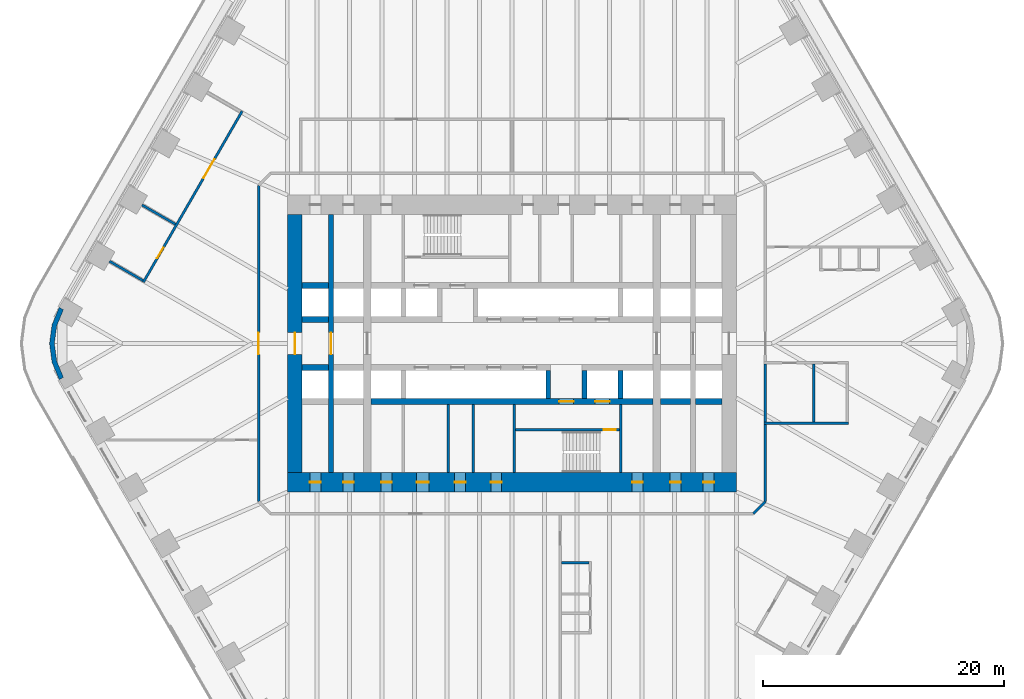
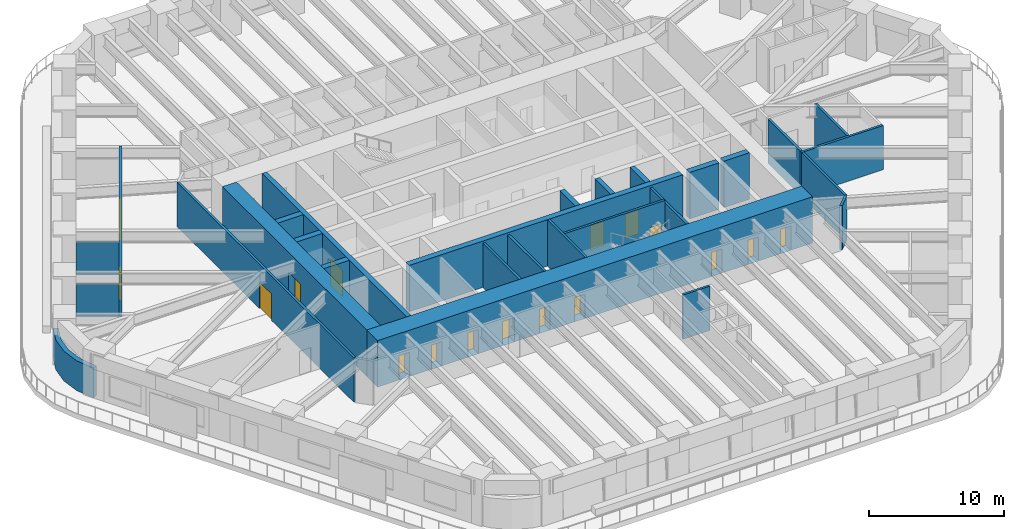
# One storey, part 17 of 24: 28 walls, 17 doors, 17 openings.
"""IFC4 building model written with IfcOpenShell, lengths in metres."""

from ifc_helpers import new_model, si_unit, direction, frame, frame_2d, origin, place, context, subcontext, project, spatial, polyline, rectangle, outline, extrude, material, layer, layer_set, type_object, element, fill, save


model = new_model("IFC4")

# Units and contexts
model_context = context("Model", 3, precision=1e-05, world=origin(), true_north=direction((0.0, 1.0)))
body_context = subcontext(model_context, "Body", "Model", "MODEL_VIEW")
ifc_project = project(units=[si_unit("LENGTHUNIT", "METRE"), si_unit("AREAUNIT", "SQUARE_METRE"), si_unit("VOLUMEUNIT", "CUBIC_METRE"), si_unit("PLANEANGLEUNIT", "RADIAN"), si_unit("MASSUNIT", "GRAM", prefix="KILO")], contexts=[model_context])

# Site, building, storey
site_placement = place(None, origin())
site = spatial("IfcSite", under=ifc_project, at=site_placement, CompositionType="ELEMENT")
building_placement = place(site_placement, origin())
building = spatial("IfcBuilding", under=site, at=building_placement, Name="Tarfa Lantern Tower", CompositionType="ELEMENT")
storey_placement = place(building_placement, frame((0.0, 0.0, 94.89990234375)))
storey = spatial("IfcBuildingStorey", under=building, at=storey_placement, Name="L21", CompositionType="ELEMENT", Elevation=94.89990234375)

# Walls
ifc_material_1 = material(Name="Limestone cladding on blockwork", Category="masonry")
ifc_layer_1 = layer(ifc_material_1, 0.39990234375)
ifc_layer_set_1 = layer_set([ifc_layer_1], Name="EW2 CURVED STONE CORNER 400")
wall_type_1 = type_object("IfcWallType", Name="EW2 CURVED STONE CORNER 400", PredefinedType="SOLIDWALL", material=ifc_layer_set_1)
wall_1_placement = place(storey_placement, origin())
element("IfcWall", 1, at=wall_1_placement, inside=storey, type_object=wall_type_1, Name="Stone corner NW-SW", PredefinedType="SOLIDWALL", context=body_context, shape_type="SweptSolid", body=[
    extrude(outline(polyline([(-37.52783203125, 3.0), (-38.127197265625, 1.552978515625), (-38.33154296875, 0.0), (-38.127197265625, -1.552978515625), (-37.52783203125, -3.0), (-37.181396484375, -2.800048828125), (-37.74072265625, -1.449462890625), (-37.931640625, 0.0), (-37.74072265625, 1.449462890625), (-37.181396484375, 2.800048828125), (-37.52783203125, 3.0)])), origin(), (0.0, 0.0, 1.0), 2.7001953125),
])
ifc_material_2 = material(Name="Concrete blockwork", Category="masonry")
ifc_layer_2 = layer(ifc_material_2, 0.199951171875)
ifc_layer_set_2 = layer_set([ifc_layer_2], Name="IW1 BLOCKWORK PARTITION 200 EI 120")
wall_type_2 = type_object("IfcWallType", Name="IW1 BLOCKWORK PARTITION 200 EI 120", PredefinedType="PARTITIONING", material=ifc_layer_set_2)
for number, where, z_axis, x_axis, name in (
    (2, (9.0, -5.050048828125, 0.0), (0.0, 0.0, 1.0), (0.0, -1.0, 0.0), "Core partition"),
    (3, (-3.199951171875, -5.050048828125, 0.0), (0.0, 0.0, 1.0), (0.0, -1.0, 0.0), "Core partition"),
    (4, (-5.300048828125, -5.050048828125, 0.0), (0.0, 0.0, 1.0), (0.0, -1.0, 0.0), "Core partition"),
):
    element("IfcWall", number, at=place(storey_placement, frame(where, z_axis=z_axis, x_axis=x_axis)), inside=storey, type_object=wall_type_2, Name=name, PredefinedType="PARTITIONING", context=body_context, shape_type="SweptSolid", body=[
        extrude(rectangle(XDim=5.64990234375, YDim=0.199951171875, at=frame_2d((2.824951171875, 0.0))), origin(), (0.0, 0.0, 1.0), 4.0),
    ])

# Wall, openings, doors
ifc_material_3 = material(Name="Gypsum board on steel studs", Category="steel")
ifc_layer_3 = layer(ifc_material_3, 0.2099609375)
ifc_layer_set_3 = layer_set([ifc_layer_3], Name="IW2 ACOUSTIC PARTITION 200")
wall_type_3 = type_object("IfcWallType", Name="IW2 ACOUSTIC PARTITION 200", PredefinedType="PARTITIONING", material=ifc_layer_set_3)
wall_2_placement = place(storey_placement, frame((-22.370361328125, 19.253173828125, 0.0), z_axis=(0.0, 0.0, 1.0), x_axis=(-0.500000949028, -0.866024855862, 0.0)))
wall_2 = element("IfcWall", 5, at=wall_2_placement, inside=storey, type_object=wall_type_3, Name="Partition", PredefinedType="PARTITIONING", context=body_context, shape_type="SweptSolid", body=[
    extrude(rectangle(XDim=16.36572265625, YDim=0.199951171875, at=frame_2d((8.182861328125, 0.0))), origin(), (0.0, 0.0, 1.0), 4.0),
])
opening_1_placement = place(wall_2_placement, frame((4.588623046875, 0.0, 0.0)))
opening_1 = element("IfcOpeningElement", 6, at=opening_1_placement, cuts=wall_2, Name="Opening D31", PredefinedType="OPENING", context=body_context, shape_type="SweptSolid", body=[
    extrude(rectangle(XDim=1.800048828125, YDim=2.39990234375, at=frame_2d((0.89990234375, 1.199951171875))), frame((0.0, 0.10986328125, 0.0), z_axis=(0.0, -1.0, 0.0), x_axis=(1.0, 0.0, 0.0)), (0.0, 0.0, 1.0), 0.219970703125),
])
opening_2_placement = place(wall_2_placement, frame((13.071533203125, 0.0, 0.0)))
opening_2 = element("IfcOpeningElement", 7, at=opening_2_placement, cuts=wall_2, Name="Opening D32", PredefinedType="OPENING", context=body_context, shape_type="SweptSolid", body=[
    extrude(rectangle(XDim=1.0, YDim=2.199951171875, at=frame_2d((0.5, 1.10009765625))), frame((0.0, 0.10986328125, 0.0), z_axis=(0.0, -1.0, 0.0), x_axis=(1.0, 0.0, 0.0)), (0.0, 0.0, 1.0), 0.219970703125),
])
ifc_material_4 = material(Name="Timber door", Category="wood")
door_type_1 = type_object("IfcDoorType", Name="DR1 ROOM DOOR 1000x2200", OperationType="SINGLE_SWING_LEFT", PredefinedType="DOOR", material=ifc_material_4)
door_1_placement = place(opening_2_placement, frame((1.0, 0.0, 0.0), z_axis=(0.0, 0.0, 1.0), x_axis=(-1.0, 0.0, 0.0)))
door_1 = element("IfcDoor", 8, at=door_1_placement, inside=storey, type_object=door_type_1, Name="Store door", OperationType="SINGLE_SWING_RIGHT", OverallHeight=2.199951171875, OverallWidth=1.0, PredefinedType="DOOR", context=body_context, shape_type="SweptSolid", body=[
    extrude(rectangle(XDim=1.0, YDim=2.199951171875, at=frame_2d((0.5, 1.10009765625))), frame((0.0, 0.02490234375, 0.0), z_axis=(0.0, -1.0, 0.0), x_axis=(1.0, 0.0, 0.0)), (0.0, 0.0, 1.0), 0.050048828125),
])
fill(opening_2, door_1)
door_type_2 = type_object("IfcDoorType", Name="DR2 ROOM DOOR 1800x2400", OperationType="DOUBLE_DOOR_SINGLE_SWING", PredefinedType="DOOR", material=ifc_material_4)
door_2_placement = place(opening_1_placement, frame((1.800048828125, 0.0, 0.0), z_axis=(0.0, 0.0, 1.0), x_axis=(-1.0, 0.0, 0.0)))
door_2 = element("IfcDoor", 9, at=door_2_placement, inside=storey, type_object=door_type_2, Name="Plan chest room door", OperationType="DOUBLE_DOOR_SINGLE_SWING", OverallHeight=2.39990234375, OverallWidth=1.800048828125, PredefinedType="DOOR", context=body_context, shape_type="SweptSolid", body=[
    extrude(rectangle(XDim=1.800048828125, YDim=2.39990234375, at=frame_2d((0.89990234375, 1.199951171875))), frame((0.0, 0.02490234375, 0.0), z_axis=(0.0, -1.0, 0.0), x_axis=(1.0, 0.0, 0.0)), (0.0, 0.0, 1.0), 0.050048828125),
])
fill(opening_1, door_2)

# Walls
wall_3_placement = place(storey_placement, frame((-27.895751953125, 9.88330078125, 0.0), z_axis=(0.0, 0.0, 1.0), x_axis=(-0.866008981251, 0.500028443584, 0.0)))
element("IfcWall", 10, at=wall_3_placement, inside=storey, type_object=wall_type_3, Name="Partition", PredefinedType="PARTITIONING", context=body_context, shape_type="SweptSolid", body=[
    extrude(rectangle(XDim=3.199951171875, YDim=0.199951171875, at=frame_2d((1.60009765625, 0.0))), origin(), (0.0, 0.0, 1.0), 2.944091796875),
])
wall_4_placement = place(storey_placement, frame((-30.58984375, 5.216552734375, 0.0), z_axis=(0.0, 0.0, 1.0), x_axis=(-0.866028054938, 0.499995408039, 0.0)))
element("IfcWall", 11, at=wall_4_placement, inside=storey, type_object=wall_type_3, Name="Partition", PredefinedType="PARTITIONING", context=body_context, shape_type="SweptSolid", body=[
    extrude(rectangle(XDim=3.2001953125, YDim=0.199951171875, at=frame_2d((1.60009765625, 0.0))), origin(), (0.0, 0.0, 1.0), 2.944091796875),
])
wall_5_placement = place(storey_placement, frame((20.89990234375, -6.60009765625, 0.0), z_axis=(0.0, 0.0, 1.0), x_axis=(1.0, 0.0, 0.0)))
element("IfcWall", 12, at=wall_5_placement, inside=storey, type_object=wall_type_3, Name="Partition", PredefinedType="PARTITIONING", context=body_context, shape_type="SweptSolid", body=[
    extrude(rectangle(XDim=7.0, YDim=0.199951171875, at=frame_2d((3.5, 0.0))), origin(), (0.0, 0.0, 1.0), 4.0),
])
for number, where, z_axis, x_axis, name in (
    (13, (21.0, -1.699951171875, 0.0), (0.0, 0.0, 1.0), (0.0, -1.0, 0.0), "Partition"),
    (14, (25.0, -1.699951171875, 0.0), (0.0, 0.0, 1.0), (0.0, -1.0, 0.0), "Partition"),
):
    element("IfcWall", number, at=place(storey_placement, frame(where, z_axis=z_axis, x_axis=x_axis)), inside=storey, type_object=wall_type_3, Name=name, PredefinedType="PARTITIONING", context=body_context, shape_type="SweptSolid", body=[
        extrude(rectangle(XDim=4.800048828125, YDim=0.199951171875, at=frame_2d((2.39990234375, 0.0))), origin(), (0.0, 0.0, 1.0), 4.0),
    ])
wall_6_placement = place(storey_placement, frame((21.0, -6.700927734375, 0.0), z_axis=(0.0, 0.0, 1.0), x_axis=(0.0, -1.0, 0.0)))
element("IfcWall", 15, at=wall_6_placement, inside=storey, type_object=wall_type_3, Name="Partition", PredefinedType="PARTITIONING", context=body_context, shape_type="SweptSolid", body=[
    extrude(rectangle(XDim=6.399169921875, YDim=0.199951171875, at=frame_2d((3.19970703125, 0.0))), origin(), (0.0, 0.0, 1.0), 4.0),
])
wall_7_placement = place(storey_placement, frame((21.0, -13.10009765625, 0.0), z_axis=(0.0, 0.0, 1.0), x_axis=(-0.707106781187, -0.707106781187, 0.0)))
element("IfcWall", 16, at=wall_7_placement, inside=storey, type_object=wall_type_3, Name="Partition", PredefinedType="PARTITIONING", context=body_context, shape_type="SweptSolid", body=[
    extrude(rectangle(XDim=1.414306640625, YDim=0.199951171875, at=frame_2d((0.70703125, 0.0))), origin(), (0.0, 0.0, 1.0), 4.0),
])

# Wall, opening, door
wall_8_placement = place(storey_placement, frame((-21.0, -13.10009765625, 0.0), z_axis=(0.0, 0.0, 1.0), x_axis=(0.0, 1.0, 0.0)))
wall_8 = element("IfcWall", 17, at=wall_8_placement, inside=storey, type_object=wall_type_3, Name="Partition", PredefinedType="PARTITIONING", context=body_context, shape_type="SweptSolid", body=[
    extrude(rectangle(XDim=26.2001953125, YDim=0.199951171875, at=frame_2d((13.10009765625, 0.0))), origin(), (0.0, 0.0, 1.0), 4.0),
])
opening_3_placement = place(wall_8_placement, frame((12.199951171875, 0.0, 0.0)))
opening_3 = element("IfcOpeningElement", 18, at=opening_3_placement, cuts=wall_8, Name="Opening D44", PredefinedType="OPENING", context=body_context, shape_type="SweptSolid", body=[
    extrude(rectangle(XDim=1.800048828125, YDim=2.39990234375, at=frame_2d((0.89990234375, 1.199951171875))), frame((0.0, 0.10986328125, 0.0), z_axis=(0.0, -1.0, 0.0), x_axis=(1.0, 0.0, 0.0)), (0.0, 0.0, 1.0), 0.219970703125),
])
door_3_placement = place(opening_3_placement, origin())
door_3 = element("IfcDoor", 19, at=door_3_placement, inside=storey, type_object=door_type_2, Name="Corridor door", OperationType="DOUBLE_DOOR_SINGLE_SWING", OverallHeight=2.39990234375, OverallWidth=1.800048828125, PredefinedType="DOOR", context=body_context, shape_type="SweptSolid", body=[
    extrude(rectangle(XDim=1.800048828125, YDim=2.39990234375, at=frame_2d((0.89990234375, 1.199951171875))), frame((0.0, 0.02490234375, 0.0), z_axis=(0.0, -1.0, 0.0), x_axis=(1.0, 0.0, 0.0)), (0.0, 0.0, 1.0), 0.050048828125),
])
fill(opening_3, door_3)

# Wall
wall_9_placement = place(storey_placement, frame((4.10009765625, -18.159912109375, 0.0), z_axis=(0.0, 0.0, 1.0), x_axis=(1.0, 0.0, 0.0)))
element("IfcWall", 20, at=wall_9_placement, inside=storey, type_object=wall_type_3, Name="Partition", PredefinedType="PARTITIONING", context=body_context, shape_type="SweptSolid", body=[
    extrude(rectangle(XDim=2.2998046875, YDim=0.199951171875, at=frame_2d((1.14990234375, 0.0))), origin(), (0.0, 0.0, 1.0), 4.0),
])

# Wall, opening, door
ifc_material_5 = material(Name="Concrete C80/95", Category="concrete")
ifc_layer_4 = layer(ifc_material_5, 1.199951171875)
ifc_layer_set_4 = layer_set([ifc_layer_4], Name="SW1 CORE WALL 1200")
wall_type_4 = type_object("IfcWallType", Name="SW1 CORE WALL 1200", PredefinedType="SHEAR", material=ifc_layer_set_4)
wall_10_placement = place(storey_placement, frame((-18.0, 10.699951171875, 0.0), z_axis=(0.0, 0.0, 1.0), x_axis=(0.0, -1.0, 0.0)))
wall_10 = element("IfcWall", 21, at=wall_10_placement, inside=storey, type_object=wall_type_4, Name="Core wall W", PredefinedType="SHEAR", context=body_context, shape_type="SweptSolid", body=[
    extrude(rectangle(XDim=21.39990234375, YDim=1.199951171875, at=frame_2d((10.699951171875, 0.0))), origin(), (0.0, 0.0, 1.0), 4.2001953125),
])
opening_4_placement = place(wall_10_placement, frame((9.800048828125, 0.0, 0.0)))
opening_4 = element("IfcOpeningElement", 22, at=opening_4_placement, cuts=wall_10, Name="Opening D16", PredefinedType="OPENING", context=body_context, shape_type="SweptSolid", body=[
    extrude(rectangle(XDim=1.800048828125, YDim=2.39990234375, at=frame_2d((0.89990234375, 1.199951171875))), frame((0.0, 0.60986328125, 0.0), z_axis=(0.0, -1.0, 0.0), x_axis=(1.0, 0.0, 0.0)), (0.0, 0.0, 1.0), 1.219970703125),
])
ifc_material_6 = material(Name="Steel fire door", Category="steel")
door_type_3 = type_object("IfcDoorType", Name="DL1 LOBBY DOOR 1800x2400", OperationType="DOUBLE_DOOR_SINGLE_SWING", PredefinedType="DOOR", material=ifc_material_6)
door_4_placement = place(opening_4_placement, frame((1.800048828125, 0.0, 0.0), z_axis=(0.0, 0.0, 1.0), x_axis=(-1.0, 0.0, 0.0)))
door_4 = element("IfcDoor", 23, at=door_4_placement, inside=storey, type_object=door_type_3, Name="Lift lobby door", OperationType="DOUBLE_DOOR_SINGLE_SWING", OverallHeight=2.39990234375, OverallWidth=1.800048828125, PredefinedType="DOOR", context=body_context, shape_type="SweptSolid", body=[
    extrude(rectangle(XDim=1.800048828125, YDim=2.39990234375, at=frame_2d((0.89990234375, 1.199951171875))), frame((0.0, 0.02490234375, 0.0), z_axis=(0.0, -1.0, 0.0), x_axis=(1.0, 0.0, 0.0)), (0.0, 0.0, 1.0), 0.050048828125),
])
fill(opening_4, door_4)

# Wall
ifc_layer_5 = layer(ifc_material_5, 0.199951171875)
ifc_layer_set_5 = layer_set([ifc_layer_5], Name="SW12 CORE WALL 200")
wall_type_5 = type_object("IfcWallType", Name="SW12 CORE WALL 200", PredefinedType="SHEAR", material=ifc_layer_set_5)
wall_11_placement = place(storey_placement, frame((0.199951171875, -5.050048828125, 0.0), z_axis=(0.0, 0.0, 1.0), x_axis=(0.0, -1.0, 0.0)))
element("IfcWall", 24, at=wall_11_placement, inside=storey, type_object=wall_type_5, Name="Core wall stair shaft S", PredefinedType="SHEAR", context=body_context, shape_type="SweptSolid", body=[
    extrude(rectangle(XDim=5.64990234375, YDim=0.199951171875, at=frame_2d((2.824951171875, 0.0))), origin(), (0.0, 0.0, 1.0), 4.2001953125),
])

# Wall, opening, door
wall_12_placement = place(storey_placement, frame((8.89990234375, -7.14990234375, 0.0), z_axis=(0.0, 0.0, 1.0), x_axis=(-1.0, 0.0, 0.0)))
wall_12 = element("IfcWall", 25, at=wall_12_placement, inside=storey, type_object=wall_type_5, Name="Core wall stair partition S", PredefinedType="SHEAR", context=body_context, shape_type="SweptSolid", body=[
    extrude(rectangle(XDim=8.599853515625, YDim=0.199951171875, at=frame_2d((4.2998046875, 0.0))), origin(), (0.0, 0.0, 1.0), 4.2001953125),
])
opening_5_placement = place(wall_12_placement, frame((0.300048828125, 0.0, 0.0)))
opening_5 = element("IfcOpeningElement", 26, at=opening_5_placement, cuts=wall_12, Name="Opening D24", PredefinedType="OPENING", context=body_context, shape_type="SweptSolid", body=[
    extrude(rectangle(XDim=1.0, YDim=2.199951171875, at=frame_2d((0.5, 1.10009765625))), frame((0.0, 0.10986328125, 0.0), z_axis=(0.0, -1.0, 0.0), x_axis=(1.0, 0.0, 0.0)), (0.0, 0.0, 1.0), 0.219970703125),
])
door_type_4 = type_object("IfcDoorType", Name="DF2 STAIR DOOR 1000x2200", OperationType="SINGLE_SWING_LEFT", PredefinedType="DOOR", material=ifc_material_6)
door_5_placement = place(opening_5_placement, origin())
door_5 = element("IfcDoor", 27, at=door_5_placement, inside=storey, type_object=door_type_4, Name="Stair door", OperationType="SINGLE_SWING_RIGHT", OverallHeight=2.199951171875, OverallWidth=1.0, PredefinedType="DOOR", context=body_context, shape_type="SweptSolid", body=[
    extrude(rectangle(XDim=1.0, YDim=2.199951171875, at=frame_2d((0.5, 1.10009765625))), frame((0.0, 0.02490234375, 0.0), z_axis=(0.0, -1.0, 0.0), x_axis=(1.0, 0.0, 0.0)), (0.0, 0.0, 1.0), 0.050048828125),
])
fill(opening_5, door_5)

# Walls
ifc_layer_6 = layer(ifc_material_5, 0.5)
ifc_layer_set_6 = layer_set([ifc_layer_6], Name="SW5 CORE WALL 500")
wall_type_6 = type_object("IfcWallType", Name="SW5 CORE WALL 500", PredefinedType="SHEAR", material=ifc_layer_set_6)
for number, where, z_axis, x_axis, name in (
    (28, (-17.39990234375, 2.0, 0.0), (0.0, 0.0, 1.0), (1.0, 0.0, 0.0), "Core wall lobby west N"),
    (29, (-17.39990234375, 4.800048828125, 0.0), (0.0, 0.0, 1.0), (1.0, 0.0, 0.0), "Core wall rear N"),
    (30, (-15.199951171875, -2.0, 0.0), (0.0, 0.0, 1.0), (-1.0, 0.0, 0.0), "Core wall lobby east S"),
    (31, (17.39990234375, -4.800048828125, 0.0), (0.0, 0.0, 1.0), (-1.0, 0.0, 0.0), "Core wall rear S"),
):
    element("IfcWall", number, at=place(storey_placement, frame(where, z_axis=z_axis, x_axis=x_axis)), inside=storey, type_object=wall_type_6, Name=name, PredefinedType="SHEAR", context=body_context, shape_type="SweptSolid", body=[
        extrude(rectangle(XDim=2.199951171875, YDim=0.5, at=frame_2d((1.10009765625, 0.0))), origin(), (0.0, 0.0, 1.0), 4.2001953125),
    ])
wall_13_placement = place(storey_placement, frame((14.800048828125, -4.800048828125, 0.0), z_axis=(0.0, 0.0, 1.0), x_axis=(-1.0, 0.0, 0.0)))
element("IfcWall", 32, at=wall_13_placement, inside=storey, type_object=wall_type_6, Name="Core wall rear S", PredefinedType="SHEAR", context=body_context, shape_type="SweptSolid", body=[
    extrude(rectangle(XDim=2.5, YDim=0.5, at=frame_2d((1.25, 0.0))), origin(), (0.0, 0.0, 1.0), 4.2001953125),
])

# Wall, openings, doors
wall_14_placement = place(storey_placement, frame((11.699951171875, -4.800048828125, 0.0), z_axis=(0.0, 0.0, 1.0), x_axis=(-1.0, 0.0, 0.0)))
wall_14 = element("IfcWall", 33, at=wall_14_placement, inside=storey, type_object=wall_type_6, Name="Core wall rear S", PredefinedType="SHEAR", context=body_context, shape_type="SweptSolid", body=[
    extrude(rectangle(XDim=23.39990234375, YDim=0.5, at=frame_2d((11.699951171875, 0.0))), origin(), (0.0, 0.0, 1.0), 4.2001953125),
])
opening_6_placement = place(wall_14_placement, frame((6.60009765625, 0.0, 0.0)))
opening_6 = element("IfcOpeningElement", 34, at=opening_6_placement, cuts=wall_14, Name="Opening D14", PredefinedType="OPENING", context=body_context, shape_type="SweptSolid", body=[
    extrude(rectangle(XDim=1.199951171875, YDim=2.199951171875, at=frame_2d((0.60009765625, 1.10009765625))), frame((0.0, 0.260009765625, 0.0), z_axis=(0.0, -1.0, 0.0), x_axis=(1.0, 0.0, 0.0)), (0.0, 0.0, 1.0), 0.52001953125),
])
opening_7_placement = place(wall_14_placement, frame((3.60009765625, 0.0, 0.0)))
opening_7 = element("IfcOpeningElement", 35, at=opening_7_placement, cuts=wall_14, Name="Opening LD02", PredefinedType="OPENING", context=body_context, shape_type="SweptSolid", body=[
    extrude(rectangle(XDim=1.199951171875, YDim=2.199951171875, at=frame_2d((0.60009765625, 1.10009765625))), frame((0.0, 0.260009765625, 0.0), z_axis=(0.0, -1.0, 0.0), x_axis=(1.0, 0.0, 0.0)), (0.0, 0.0, 1.0), 0.52001953125),
])
door_type_5 = type_object("IfcDoorType", Name="DF1 FIREFIGHTING LOBBY DOOR 1200x2200", OperationType="SINGLE_SWING_LEFT", PredefinedType="DOOR", material=ifc_material_6)
door_6_placement = place(opening_6_placement, origin())
door_6 = element("IfcDoor", 36, at=door_6_placement, inside=storey, type_object=door_type_5, Name="Firefighting lobby door", OperationType="SINGLE_SWING_LEFT", OverallHeight=2.199951171875, OverallWidth=1.199951171875, PredefinedType="DOOR", context=body_context, shape_type="SweptSolid", body=[
    extrude(rectangle(XDim=1.199951171875, YDim=2.199951171875, at=frame_2d((0.60009765625, 1.10009765625))), frame((0.0, 0.02490234375, 0.0), z_axis=(0.0, -1.0, 0.0), x_axis=(1.0, 0.0, 0.0)), (0.0, 0.0, 1.0), 0.050048828125),
])
fill(opening_6, door_6)
ifc_material_7 = material(Name="Stainless steel lift door", Category="steel")
door_type_6 = type_object("IfcDoorType", Name="LD1 LIFT LANDING DOOR 1200x2200", OperationType="SLIDING_TO_LEFT", PredefinedType="DOOR", material=ifc_material_7)
door_7_placement = place(opening_7_placement, origin())
door_7 = element("IfcDoor", 37, at=door_7_placement, inside=storey, type_object=door_type_6, Name="Landing door FL2", OperationType="SLIDING_TO_LEFT", OverallHeight=2.199951171875, OverallWidth=1.199951171875, PredefinedType="DOOR", context=body_context, shape_type="SweptSolid", body=[
    extrude(rectangle(XDim=1.199951171875, YDim=2.199951171875, at=frame_2d((0.60009765625, 1.10009765625))), frame((0.0, 0.02490234375, 0.0), z_axis=(0.0, -1.0, 0.0), x_axis=(1.0, 0.0, 0.0)), (0.0, 0.0, 1.0), 0.050048828125),
])
fill(opening_7, door_7)

# Wall, opening, door
ifc_layer_7 = layer(ifc_material_5, 0.39990234375)
ifc_layer_set_7 = layer_set([ifc_layer_7], Name="SW6 CORE WALL 400")
wall_type_7 = type_object("IfcWallType", Name="SW6 CORE WALL 400", PredefinedType="SHEAR", material=ifc_layer_set_7)
wall_15_placement = place(storey_placement, frame((-15.0, -10.699951171875, 0.0), z_axis=(0.0, 0.0, 1.0), x_axis=(0.0, 1.0, 0.0)))
wall_15 = element("IfcWall", 38, at=wall_15_placement, inside=storey, type_object=wall_type_7, Name="Core wall cross 15 m west", PredefinedType="SHEAR", context=body_context, shape_type="SweptSolid", body=[
    extrude(rectangle(XDim=21.39990234375, YDim=0.39990234375, at=frame_2d((10.699951171875, 0.0))), origin(), (0.0, 0.0, 1.0), 4.2001953125),
])
opening_8_placement = place(wall_15_placement, frame((9.800048828125, 0.0, 0.0)))
opening_8 = element("IfcOpeningElement", 39, at=opening_8_placement, cuts=wall_15, Name="Opening D28", PredefinedType="OPENING", context=body_context, shape_type="SweptSolid", body=[
    extrude(rectangle(XDim=1.800048828125, YDim=2.39990234375, at=frame_2d((0.89990234375, 1.199951171875))), frame((0.0, 0.2099609375, 0.0), z_axis=(0.0, -1.0, 0.0), x_axis=(1.0, 0.0, 0.0)), (0.0, 0.0, 1.0), 0.419921875),
])
door_8_placement = place(opening_8_placement, origin())
door_8 = element("IfcDoor", 40, at=door_8_placement, inside=storey, type_object=door_type_3, Name="Lift lobby door", OperationType="DOUBLE_DOOR_SINGLE_SWING", OverallHeight=2.39990234375, OverallWidth=1.800048828125, PredefinedType="DOOR", context=body_context, shape_type="SweptSolid", body=[
    extrude(rectangle(XDim=1.800048828125, YDim=2.39990234375, at=frame_2d((0.89990234375, 1.199951171875))), frame((0.0, 0.02490234375, 0.0), z_axis=(0.0, -1.0, 0.0), x_axis=(1.0, 0.0, 0.0)), (0.0, 0.0, 1.0), 0.050048828125),
])
fill(opening_8, door_8)

# Walls
for number, where, z_axis, x_axis, name in (
    (41, (9.0, -2.25, 0.0), (0.0, 0.0, 1.0), (0.0, -1.0, 0.0), "Core wall divider S"),
    (42, (6.0, -2.25, 0.0), (0.0, 0.0, 1.0), (0.0, -1.0, 0.0), "Core wall divider S"),
    (43, (3.0, -2.25, 0.0), (0.0, 0.0, 1.0), (0.0, -1.0, 0.0), "Core wall divider S"),
):
    element("IfcWall", number, at=place(storey_placement, frame(where, z_axis=z_axis, x_axis=x_axis)), inside=storey, type_object=wall_type_7, Name=name, PredefinedType="SHEAR", context=body_context, shape_type="SweptSolid", body=[
        extrude(rectangle(XDim=2.300048828125, YDim=0.39990234375, at=frame_2d((1.14990234375, 0.0))), origin(), (0.0, 0.0, 1.0), 4.2001953125),
    ])

# Wall, openings, doors
ifc_layer_8 = layer(ifc_material_5, 1.60009765625)
ifc_layer_set_8 = layer_set([ifc_layer_8], Name="SW7 CORE WALL 1600")
wall_type_8 = type_object("IfcWallType", Name="SW7 CORE WALL 1600", PredefinedType="SHEAR", material=ifc_layer_set_8)
wall_16_placement = place(storey_placement, frame((18.60009765625, -11.5, 0.0), z_axis=(0.0, 0.0, 1.0), x_axis=(-1.0, 0.0, 0.0)))
wall_16 = element("IfcWall", 44, at=wall_16_placement, inside=storey, type_object=wall_type_8, Name="Core wall S", PredefinedType="SHEAR", context=body_context, shape_type="SweptSolid", body=[
    extrude(rectangle(XDim=37.2001953125, YDim=1.60009765625, at=frame_2d((18.60009765625, 0.0))), origin(), (0.0, 0.0, 1.0), 4.2001953125),
])
opening_9_placement = place(wall_16_placement, frame((19.449951171875, 0.0, 0.0)))
opening_9 = element("IfcOpeningElement", 45, at=opening_9_placement, cuts=wall_16, Name="Opening D18", PredefinedType="OPENING", context=body_context, shape_type="SweptSolid", body=[
    extrude(rectangle(XDim=0.89990234375, YDim=2.199951171875, at=frame_2d((0.449951171875, 1.10009765625))), frame((0.0, 0.81005859375, 0.0), z_axis=(0.0, -1.0, 0.0), x_axis=(1.0, 0.0, 0.0)), (0.0, 0.0, 1.0), 1.6201171875),
])
opening_10_placement = place(wall_16_placement, frame((22.449951171875, 0.0, 0.0)))
opening_10 = element("IfcOpeningElement", 46, at=opening_10_placement, cuts=wall_16, Name="Opening D20", PredefinedType="OPENING", context=body_context, shape_type="SweptSolid", body=[
    extrude(rectangle(XDim=0.89990234375, YDim=2.199951171875, at=frame_2d((0.449951171875, 1.10009765625))), frame((0.0, 0.81005859375, 0.0), z_axis=(0.0, -1.0, 0.0), x_axis=(1.0, 0.0, 0.0)), (0.0, 0.0, 1.0), 1.6201171875),
])
opening_11_placement = place(wall_16_placement, frame((25.5, 0.0, 0.0)))
opening_11 = element("IfcOpeningElement", 47, at=opening_11_placement, cuts=wall_16, Name="Opening D22", PredefinedType="OPENING", context=body_context, shape_type="SweptSolid", body=[
    extrude(rectangle(XDim=1.0, YDim=2.199951171875, at=frame_2d((0.5, 1.10009765625))), frame((0.0, 0.81005859375, 0.0), z_axis=(0.0, -1.0, 0.0), x_axis=(1.0, 0.0, 0.0)), (0.0, 0.0, 1.0), 1.6201171875),
])
opening_12_placement = place(wall_16_placement, frame((1.85009765625, 0.0, 0.0)))
opening_12 = element("IfcOpeningElement", 48, at=opening_12_placement, cuts=wall_16, Name="Opening D12", PredefinedType="OPENING", context=body_context, shape_type="SweptSolid", body=[
    extrude(rectangle(XDim=0.89990234375, YDim=2.199951171875, at=frame_2d((0.449951171875, 1.10009765625))), frame((0.0, 0.81005859375, 0.0), z_axis=(0.0, -1.0, 0.0), x_axis=(1.0, 0.0, 0.0)), (0.0, 0.0, 1.0), 1.6201171875),
])
opening_13_placement = place(wall_16_placement, frame((4.60009765625, 0.0, 0.0)))
opening_13 = element("IfcOpeningElement", 49, at=opening_13_placement, cuts=wall_16, Name="Opening D08", PredefinedType="OPENING", context=body_context, shape_type="SweptSolid", body=[
    extrude(rectangle(XDim=0.89990234375, YDim=2.199951171875, at=frame_2d((0.449951171875, 1.10009765625))), frame((0.0, 0.81005859375, 0.0), z_axis=(0.0, -1.0, 0.0), x_axis=(1.0, 0.0, 0.0)), (0.0, 0.0, 1.0), 1.6201171875),
])
opening_14_placement = place(wall_16_placement, frame((7.75, 0.0, 0.0)))
opening_14 = element("IfcOpeningElement", 50, at=opening_14_placement, cuts=wall_16, Name="Opening D10", PredefinedType="OPENING", context=body_context, shape_type="SweptSolid", body=[
    extrude(rectangle(XDim=0.89990234375, YDim=2.199951171875, at=frame_2d((0.449951171875, 1.10009765625))), frame((0.0, 0.81005859375, 0.0), z_axis=(0.0, -1.0, 0.0), x_axis=(1.0, 0.0, 0.0)), (0.0, 0.0, 1.0), 1.6201171875),
])
opening_15_placement = place(wall_16_placement, frame((28.550048828125, 0.0, 0.0)))
opening_15 = element("IfcOpeningElement", 51, at=opening_15_placement, cuts=wall_16, Name="Opening D06", PredefinedType="OPENING", context=body_context, shape_type="SweptSolid", body=[
    extrude(rectangle(XDim=0.89990234375, YDim=2.199951171875, at=frame_2d((0.449951171875, 1.10009765625))), frame((0.0, 0.81005859375, 0.0), z_axis=(0.0, -1.0, 0.0), x_axis=(1.0, 0.0, 0.0)), (0.0, 0.0, 1.0), 1.6201171875),
])
opening_16_placement = place(wall_16_placement, frame((31.699951171875, 0.0, 0.0)))
opening_16 = element("IfcOpeningElement", 52, at=opening_16_placement, cuts=wall_16, Name="Opening D02", PredefinedType="OPENING", context=body_context, shape_type="SweptSolid", body=[
    extrude(rectangle(XDim=0.89990234375, YDim=2.199951171875, at=frame_2d((0.449951171875, 1.10009765625))), frame((0.0, 0.81005859375, 0.0), z_axis=(0.0, -1.0, 0.0), x_axis=(1.0, 0.0, 0.0)), (0.0, 0.0, 1.0), 1.6201171875),
])
opening_17_placement = place(wall_16_placement, frame((34.449951171875, 0.0, 0.0)))
opening_17 = element("IfcOpeningElement", 53, at=opening_17_placement, cuts=wall_16, Name="Opening D04", PredefinedType="OPENING", context=body_context, shape_type="SweptSolid", body=[
    extrude(rectangle(XDim=0.89990234375, YDim=2.199951171875, at=frame_2d((0.449951171875, 1.10009765625))), frame((0.0, 0.81005859375, 0.0), z_axis=(0.0, -1.0, 0.0), x_axis=(1.0, 0.0, 0.0)), (0.0, 0.0, 1.0), 1.6201171875),
])
door_type_7 = type_object("IfcDoorType", Name="DF3 CORE ROOM DOOR 900x2200", OperationType="SINGLE_SWING_LEFT", PredefinedType="DOOR", material=ifc_material_6)
door_9_placement = place(opening_9_placement, frame((0.89990234375, 0.0, 0.0), z_axis=(0.0, 0.0, 1.0), x_axis=(-1.0, 0.0, 0.0)))
door_9 = element("IfcDoor", 54, at=door_9_placement, inside=storey, type_object=door_type_7, Name="Core door", OperationType="SINGLE_SWING_LEFT", OverallHeight=2.199951171875, OverallWidth=0.89990234375, PredefinedType="DOOR", context=body_context, shape_type="SweptSolid", body=[
    extrude(rectangle(XDim=0.89990234375, YDim=2.199951171875, at=frame_2d((0.449951171875, 1.10009765625))), frame((0.0, 0.02490234375, 0.0), z_axis=(0.0, -1.0, 0.0), x_axis=(1.0, 0.0, 0.0)), (0.0, 0.0, 1.0), 0.050048828125),
])
fill(opening_9, door_9)
door_10_placement = place(opening_10_placement, frame((0.89990234375, 0.0, 0.0), z_axis=(0.0, 0.0, 1.0), x_axis=(-1.0, 0.0, 0.0)))
door_10 = element("IfcDoor", 55, at=door_10_placement, inside=storey, type_object=door_type_7, Name="Core door", OperationType="SINGLE_SWING_RIGHT", OverallHeight=2.199951171875, OverallWidth=0.89990234375, PredefinedType="DOOR", context=body_context, shape_type="SweptSolid", body=[
    extrude(rectangle(XDim=0.89990234375, YDim=2.199951171875, at=frame_2d((0.449951171875, 1.10009765625))), frame((0.0, 0.02490234375, 0.0), z_axis=(0.0, -1.0, 0.0), x_axis=(1.0, 0.0, 0.0)), (0.0, 0.0, 1.0), 0.050048828125),
])
fill(opening_10, door_10)
door_type_8 = type_object("IfcDoorType", Name="DF4 CORE ROOM DOOR 1000x2200", OperationType="SINGLE_SWING_LEFT", PredefinedType="DOOR", material=ifc_material_6)
door_11_placement = place(opening_11_placement, frame((1.0, 0.0, 0.0), z_axis=(0.0, 0.0, 1.0), x_axis=(-1.0, 0.0, 0.0)))
door_11 = element("IfcDoor", 56, at=door_11_placement, inside=storey, type_object=door_type_8, Name="Core door", OperationType="SINGLE_SWING_RIGHT", OverallHeight=2.199951171875, OverallWidth=1.0, PredefinedType="DOOR", context=body_context, shape_type="SweptSolid", body=[
    extrude(rectangle(XDim=1.0, YDim=2.199951171875, at=frame_2d((0.5, 1.10009765625))), frame((0.0, 0.02490234375, 0.0), z_axis=(0.0, -1.0, 0.0), x_axis=(1.0, 0.0, 0.0)), (0.0, 0.0, 1.0), 0.050048828125),
])
fill(opening_11, door_11)
door_type_9 = type_object("IfcDoorType", Name="DF5 RISER DOOR 900x2200", OperationType="SINGLE_SWING_LEFT", PredefinedType="DOOR", material=ifc_material_6)
door_12_placement = place(opening_12_placement, frame((0.89990234375, 0.0, 0.0), z_axis=(0.0, 0.0, 1.0), x_axis=(-1.0, 0.0, 0.0)))
door_12 = element("IfcDoor", 57, at=door_12_placement, inside=storey, type_object=door_type_9, Name="Riser door", OperationType="SINGLE_SWING_LEFT", OverallHeight=2.199951171875, OverallWidth=0.89990234375, PredefinedType="DOOR", context=body_context, shape_type="SweptSolid", body=[
    extrude(rectangle(XDim=0.89990234375, YDim=2.199951171875, at=frame_2d((0.449951171875, 1.10009765625))), frame((0.0, 0.02490234375, 0.0), z_axis=(0.0, -1.0, 0.0), x_axis=(1.0, 0.0, 0.0)), (0.0, 0.0, 1.0), 0.050048828125),
])
fill(opening_12, door_12)
door_13_placement = place(opening_13_placement, frame((0.89990234375, 0.0, 0.0), z_axis=(0.0, 0.0, 1.0), x_axis=(-1.0, 0.0, 0.0)))
door_13 = element("IfcDoor", 58, at=door_13_placement, inside=storey, type_object=door_type_9, Name="Riser door", OperationType="SINGLE_SWING_LEFT", OverallHeight=2.199951171875, OverallWidth=0.89990234375, PredefinedType="DOOR", context=body_context, shape_type="SweptSolid", body=[
    extrude(rectangle(XDim=0.89990234375, YDim=2.199951171875, at=frame_2d((0.449951171875, 1.10009765625))), frame((0.0, 0.02490234375, 0.0), z_axis=(0.0, -1.0, 0.0), x_axis=(1.0, 0.0, 0.0)), (0.0, 0.0, 1.0), 0.050048828125),
])
fill(opening_13, door_13)
door_14_placement = place(opening_14_placement, frame((0.89990234375, 0.0, 0.0), z_axis=(0.0, 0.0, 1.0), x_axis=(-1.0, 0.0, 0.0)))
door_14 = element("IfcDoor", 59, at=door_14_placement, inside=storey, type_object=door_type_9, Name="Riser door", OperationType="SINGLE_SWING_LEFT", OverallHeight=2.199951171875, OverallWidth=0.89990234375, PredefinedType="DOOR", context=body_context, shape_type="SweptSolid", body=[
    extrude(rectangle(XDim=0.89990234375, YDim=2.199951171875, at=frame_2d((0.449951171875, 1.10009765625))), frame((0.0, 0.02490234375, 0.0), z_axis=(0.0, -1.0, 0.0), x_axis=(1.0, 0.0, 0.0)), (0.0, 0.0, 1.0), 0.050048828125),
])
fill(opening_14, door_14)
door_15_placement = place(opening_15_placement, frame((0.89990234375, 0.0, 0.0), z_axis=(0.0, 0.0, 1.0), x_axis=(-1.0, 0.0, 0.0)))
door_15 = element("IfcDoor", 60, at=door_15_placement, inside=storey, type_object=door_type_9, Name="Riser door", OperationType="SINGLE_SWING_RIGHT", OverallHeight=2.199951171875, OverallWidth=0.89990234375, PredefinedType="DOOR", context=body_context, shape_type="SweptSolid", body=[
    extrude(rectangle(XDim=0.89990234375, YDim=2.199951171875, at=frame_2d((0.449951171875, 1.10009765625))), frame((0.0, 0.02490234375, 0.0), z_axis=(0.0, -1.0, 0.0), x_axis=(1.0, 0.0, 0.0)), (0.0, 0.0, 1.0), 0.050048828125),
])
fill(opening_15, door_15)
door_16_placement = place(opening_16_placement, frame((0.89990234375, 0.0, 0.0), z_axis=(0.0, 0.0, 1.0), x_axis=(-1.0, 0.0, 0.0)))
door_16 = element("IfcDoor", 61, at=door_16_placement, inside=storey, type_object=door_type_9, Name="Riser door", OperationType="SINGLE_SWING_RIGHT", OverallHeight=2.199951171875, OverallWidth=0.89990234375, PredefinedType="DOOR", context=body_context, shape_type="SweptSolid", body=[
    extrude(rectangle(XDim=0.89990234375, YDim=2.199951171875, at=frame_2d((0.449951171875, 1.10009765625))), frame((0.0, 0.02490234375, 0.0), z_axis=(0.0, -1.0, 0.0), x_axis=(1.0, 0.0, 0.0)), (0.0, 0.0, 1.0), 0.050048828125),
])
fill(opening_16, door_16)
door_17_placement = place(opening_17_placement, frame((0.89990234375, 0.0, 0.0), z_axis=(0.0, 0.0, 1.0), x_axis=(-1.0, 0.0, 0.0)))
door_17 = element("IfcDoor", 62, at=door_17_placement, inside=storey, type_object=door_type_9, Name="Riser door", OperationType="SINGLE_SWING_RIGHT", OverallHeight=2.199951171875, OverallWidth=0.89990234375, PredefinedType="DOOR", context=body_context, shape_type="SweptSolid", body=[
    extrude(rectangle(XDim=0.89990234375, YDim=2.199951171875, at=frame_2d((0.449951171875, 1.10009765625))), frame((0.0, 0.02490234375, 0.0), z_axis=(0.0, -1.0, 0.0), x_axis=(1.0, 0.0, 0.0)), (0.0, 0.0, 1.0), 0.050048828125),
])
fill(opening_17, door_17)

save(model, "model.ifc")
